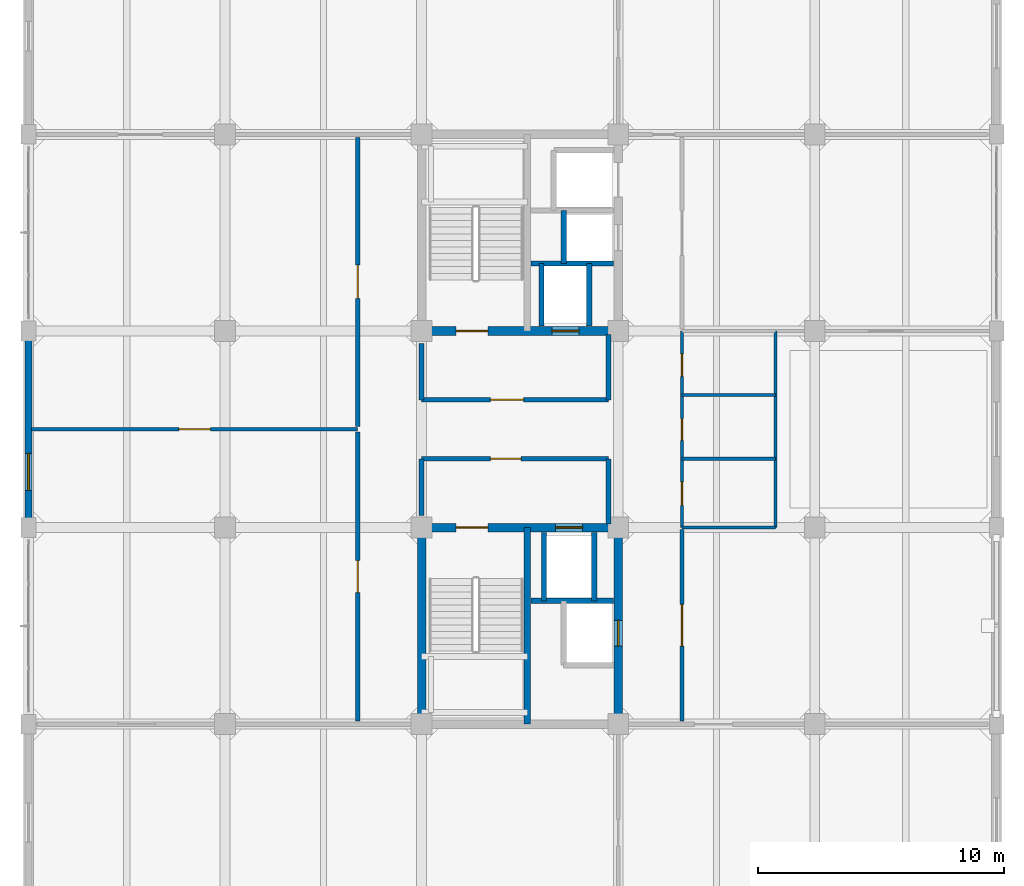
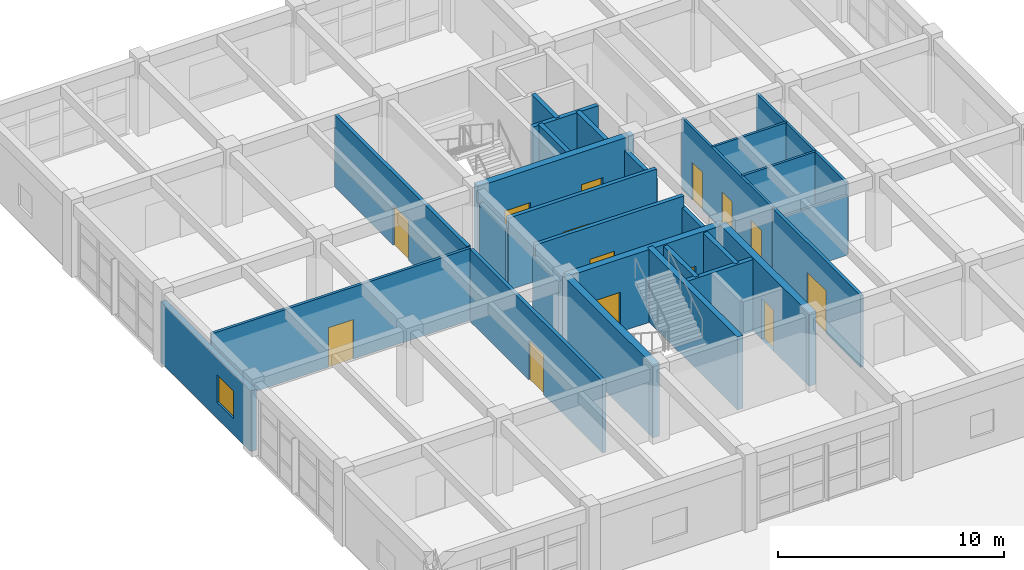
# One storey, part 22 of 30: 28 walls, 14 doors, 1 window, 15 openings.
"""IFC4 building model written with IfcOpenShell, lengths in metres."""

from ifc_helpers import new_model, si_unit, direction, frame, frame_2d, origin, place, context, subcontext, project, spatial, rectangle, extrude, material, layer, layer_set, type_object, element, fill, save


model = new_model("IFC4")

# Units and contexts
model_context = context("Model", 3, precision=1e-05, world=origin(), true_north=direction((0.0, 1.0)))
body_context = subcontext(model_context, "Body", "Model", "MODEL_VIEW")
ifc_project = project(units=[si_unit("LENGTHUNIT", "METRE"), si_unit("AREAUNIT", "SQUARE_METRE"), si_unit("VOLUMEUNIT", "CUBIC_METRE"), si_unit("PLANEANGLEUNIT", "RADIAN"), si_unit("MASSUNIT", "GRAM", prefix="KILO")], contexts=[model_context])

# Site, building, storey
site_placement = place(None, origin())
site = spatial("IfcSite", under=ifc_project, at=site_placement, CompositionType="ELEMENT")
building_placement = place(site_placement, origin())
building = spatial("IfcBuilding", under=site, at=building_placement, Name="Canggui Botanical Conservatory", CompositionType="ELEMENT")
storey_placement = place(building_placement, frame((0.0, 0.0, 27.60009765625)))
storey = spatial("IfcBuildingStorey", under=building, at=storey_placement, Name="L07", CompositionType="ELEMENT", Elevation=27.60009765625)

# Wall, opening, window
ifc_material_1 = material(Name="Precast Concrete C40", Category="concrete")
ifc_layer_1 = layer(ifc_material_1, 0.280029296875, Name="Precast Concrete C40", Category="concrete")
ifc_layer_set_1 = layer_set([ifc_layer_1], Name="Precast Concrete C40")
wall_type_1 = type_object("IfcWallType", Name="EW-280", PredefinedType="STANDARD", material=ifc_layer_set_1)
wall_1_placement = place(storey_placement, frame((138.0, 50.0, 0.0), z_axis=(0.0, 0.0, 1.0), x_axis=(0.0, 1.0, 0.0)))
wall_1 = element("IfcWall", 1, at=wall_1_placement, inside=storey, type_object=wall_type_1, Name="Tower Insulated Exterior Wall L07-W8", PredefinedType="STANDARD", context=body_context, shape_type="SweptSolid", body=[
    extrude(rectangle(XDim=8.0, YDim=0.280029296875, at=frame_2d((4.0, 0.0))), origin(), (0.0, 0.0, 1.0), 3.289794921875),
])
opening_1_placement = place(wall_1_placement, frame((1.51708984375, 0.0, 0.85009765625)))
opening_1 = element("IfcOpeningElement", 2, at=opening_1_placement, cuts=wall_1, Name="Opening W-05", PredefinedType="OPENING", context=body_context, shape_type="SweptSolid", body=[
    extrude(rectangle(XDim=1.5, YDim=1.5, at=frame_2d((0.75, 0.75))), frame((0.0, 0.14990234375, 0.0), z_axis=(0.0, -1.0, 0.0), x_axis=(1.0, 0.0, 0.0)), (0.0, 0.0, 1.0), 0.300048828125),
])
ifc_material_2 = material(Name="Low-E Insulated Glass", Category="glass")
window_type = type_object("IfcWindowType", Name="WIN-05", PartitioningType="SINGLE_PANEL", PredefinedType="WINDOW", material=ifc_material_2)
window_placement = place(opening_1_placement, origin())
window = element("IfcWindow", 3, at=window_placement, inside=storey, type_object=window_type, Name="Tower Window L07-8", OverallHeight=1.5, OverallWidth=1.5, PartitioningType="SINGLE_PANEL", PredefinedType="WINDOW", context=body_context, shape_type="SweptSolid", body=[
    extrude(rectangle(XDim=1.5, YDim=1.5, at=frame_2d((0.75, 0.75))), frame((0.0, 0.030029296875, 0.0), z_axis=(0.0, -1.0, 0.0), x_axis=(1.0, 0.0, 0.0)), (0.0, 0.0, 1.0), 0.06005859375),
])
fill(opening_1, window)

# Wall, opening, door
ifc_material_3 = material(Name="Gypsum Plasterboard Partition")
ifc_layer_2 = layer(ifc_material_3, 0.175048828125, Name="Gypsum Plasterboard Partition")
ifc_layer_set_2 = layer_set([ifc_layer_2], Name="Gypsum Plasterboard Partition")
wall_type_2 = type_object("IfcWallType", Name="IW-CORR-175", PredefinedType="STANDARD", material=ifc_layer_set_2)
wall_2_placement = place(storey_placement, frame((151.39990234375, 42.1201171875, 0.0), z_axis=(0.0, 0.0, 1.0), x_axis=(0.0, 1.0, 0.0)))
wall_2 = element("IfcWall", 4, at=wall_2_placement, inside=storey, type_object=wall_type_2, Name="L07 Plant Anatomy Microscopy Laboratory Corridor Wall", PredefinedType="STANDARD", context=body_context, shape_type="SweptSolid", body=[
    extrude(rectangle(XDim=11.759765625, YDim=0.175048828125, at=frame_2d((5.8798828125, 0.0))), origin(), (0.0, 0.0, 1.0), 3.89990234375),
])
opening_2_placement = place(wall_2_placement, frame((5.22998046875, 0.0, 0.0)))
opening_2 = element("IfcOpeningElement", 5, at=opening_2_placement, cuts=wall_2, Name="Opening FD-09", PredefinedType="OPENING", context=body_context, shape_type="SweptSolid", body=[
    extrude(rectangle(XDim=1.300048828125, YDim=2.14990234375, at=frame_2d((0.64990234375, 1.074951171875))), frame((0.0, 0.09765625, 0.0), z_axis=(0.0, -1.0, 0.0), x_axis=(1.0, 0.0, 0.0)), (0.0, 0.0, 1.0), 0.195068359375),
])
ifc_material_4 = material(Name="Powder-Coated Steel", Category="steel")
door_type_1 = type_object("IfcDoorType", Name="FD-09", OperationType="NOTDEFINED", PredefinedType="DOOR", material=ifc_material_4)
door_1_placement = place(opening_2_placement, origin())
door_1 = element("IfcDoor", 6, at=door_1_placement, inside=storey, type_object=door_type_1, Name="L07 Plant Anatomy Microscopy Laboratory Entrance Door", OperationType="SINGLE_SWING_LEFT", OverallHeight=2.14990234375, OverallWidth=1.300048828125, PredefinedType="DOOR", context=body_context, shape_type="SweptSolid", body=[
    extrude(rectangle(XDim=1.300048828125, YDim=2.14990234375, at=frame_2d((0.64990234375, 1.074951171875))), frame((0.0, 0.02490234375, 0.0), z_axis=(0.0, -1.0, 0.0), x_axis=(1.0, 0.0, 0.0)), (0.0, 0.0, 1.0), 0.050048828125),
])
fill(opening_2, door_1)

wall_3_placement = place(storey_placement, frame((151.39990234375, 54.1201171875, 0.0), z_axis=(0.0, 0.0, 1.0), x_axis=(0.0, 1.0, 0.0)))
wall_3 = element("IfcWall", 7, at=wall_3_placement, inside=storey, type_object=wall_type_2, Name="L07 Scanning Electron Microscopy Suite Corridor Wall", PredefinedType="STANDARD", context=body_context, shape_type="SweptSolid", body=[
    extrude(rectangle(XDim=11.759765625, YDim=0.175048828125, at=frame_2d((5.8798828125, 0.0))), origin(), (0.0, 0.0, 1.0), 3.89990234375),
])
opening_3_placement = place(wall_3_placement, frame((5.205078125, 0.0, 0.0)))
opening_3 = element("IfcOpeningElement", 8, at=opening_3_placement, cuts=wall_3, Name="Opening FD-10", PredefinedType="OPENING", context=body_context, shape_type="SweptSolid", body=[
    extrude(rectangle(XDim=1.35009765625, YDim=2.14990234375, at=frame_2d((0.675048828125, 1.074951171875))), frame((0.0, 0.09765625, 0.0), z_axis=(0.0, -1.0, 0.0), x_axis=(1.0, 0.0, 0.0)), (0.0, 0.0, 1.0), 0.195068359375),
])
door_type_2 = type_object("IfcDoorType", Name="FD-10", OperationType="NOTDEFINED", PredefinedType="DOOR", material=ifc_material_4)
door_2_placement = place(opening_3_placement, origin())
door_2 = element("IfcDoor", 9, at=door_2_placement, inside=storey, type_object=door_type_2, Name="L07 Scanning Electron Microscopy Suite Entrance Door", OperationType="SINGLE_SWING_LEFT", OverallHeight=2.14990234375, OverallWidth=1.35009765625, PredefinedType="DOOR", context=body_context, shape_type="SweptSolid", body=[
    extrude(rectangle(XDim=1.35009765625, YDim=2.14990234375, at=frame_2d((0.675048828125, 1.074951171875))), frame((0.0, 0.02490234375, 0.0), z_axis=(0.0, -1.0, 0.0), x_axis=(1.0, 0.0, 0.0)), (0.0, 0.0, 1.0), 0.050048828125),
])
fill(opening_3, door_2)

ifc_layer_3 = layer(ifc_material_3, 0.155029296875, Name="Gypsum Plasterboard Partition")
ifc_layer_set_3 = layer_set([ifc_layer_3], Name="Gypsum Plasterboard Partition")
wall_type_3 = type_object("IfcWallType", Name="IW-LAB-155", PredefinedType="STANDARD", material=ifc_layer_set_3)
wall_4_placement = place(storey_placement, frame((164.60009765625, 42.1201171875, 0.0), z_axis=(0.0, 0.0, 1.0), x_axis=(0.0, 1.0, 0.0)))
wall_4 = element("IfcWall", 10, at=wall_4_placement, inside=storey, type_object=wall_type_3, Name="L07 Cytogenetics Research Laboratory Lab Wall", PredefinedType="STANDARD", context=body_context, shape_type="SweptSolid", body=[
    extrude(rectangle(XDim=7.7998046875, YDim=0.155029296875, at=frame_2d((3.89990234375, 0.0))), origin(), (0.0, 0.0, 1.0), 3.89990234375),
])
opening_4_placement = place(wall_4_placement, frame((3.050048828125, 0.0, 0.0)))
opening_4 = element("IfcOpeningElement", 11, at=opening_4_placement, cuts=wall_4, Name="Opening FD-16", PredefinedType="OPENING", context=body_context, shape_type="SweptSolid", body=[
    extrude(rectangle(XDim=1.699951171875, YDim=2.300048828125, at=frame_2d((0.85009765625, 1.14990234375))), frame((0.0, 0.08740234375, 0.0), z_axis=(0.0, -1.0, 0.0), x_axis=(1.0, 0.0, 0.0)), (0.0, 0.0, 1.0), 0.175048828125),
])
door_type_3 = type_object("IfcDoorType", Name="FD-16", OperationType="NOTDEFINED", PredefinedType="DOOR", material=ifc_material_4)
door_3_placement = place(opening_4_placement, origin())
door_3 = element("IfcDoor", 12, at=door_3_placement, inside=storey, type_object=door_type_3, Name="Interior Door IW-L07-ECOR-1-1", OperationType="DOUBLE_DOOR_SINGLE_SWING", OverallHeight=2.300048828125, OverallWidth=1.699951171875, PredefinedType="DOOR", context=body_context, shape_type="SweptSolid", body=[
    extrude(rectangle(XDim=1.699951171875, YDim=2.300048828125, at=frame_2d((0.85009765625, 1.14990234375))), frame((0.0, 0.02490234375, 0.0), z_axis=(0.0, -1.0, 0.0), x_axis=(1.0, 0.0, 0.0)), (0.0, 0.0, 1.0), 0.050048828125),
])
fill(opening_4, door_3)

ifc_material_5 = material(Name="Concrete C35", Category="concrete")
ifc_layer_4 = layer(ifc_material_5, 0.195068359375, Name="Concrete C35", Category="concrete")
ifc_layer_set_4 = layer_set([ifc_layer_4], Name="Concrete C35")
wall_type_4 = type_object("IfcWallType", Name="IW-LOBBY-195", PredefinedType="STANDARD", material=ifc_layer_set_4)
wall_5_placement = place(storey_placement, frame((154.0, 52.800048828125, 0.0), z_axis=(0.0, 0.0, 1.0), x_axis=(1.0, 0.0, 0.0)))
wall_5 = element("IfcWall", 13, at=wall_5_placement, inside=storey, type_object=wall_type_4, Name="L07 South Firefighting Lift Lobby North Wall", PredefinedType="STANDARD", context=body_context, shape_type="SweptSolid", body=[
    extrude(rectangle(XDim=7.60009765625, YDim=0.195068359375, at=frame_2d((3.800048828125, 0.0))), origin(), (0.0, 0.0, 1.0), 3.89990234375),
])
opening_5_placement = place(wall_5_placement, frame((2.800048828125, 0.0, 0.0)))
opening_5 = element("IfcOpeningElement", 14, at=opening_5_placement, cuts=wall_5, Name="Opening FD-08", PredefinedType="OPENING", context=body_context, shape_type="SweptSolid", body=[
    extrude(rectangle(XDim=1.25, YDim=2.14990234375, at=frame_2d((0.625, 1.074951171875))), frame((0.0, 0.107421875, 0.0), z_axis=(0.0, -1.0, 0.0), x_axis=(1.0, 0.0, 0.0)), (0.0, 0.0, 1.0), 0.215087890625),
])
door_type_4 = type_object("IfcDoorType", Name="FD-08", OperationType="NOTDEFINED", PredefinedType="DOOR", material=ifc_material_4)
door_4_placement = place(opening_5_placement, origin())
door_4 = element("IfcDoor", 15, at=door_4_placement, inside=storey, type_object=door_type_4, Name="L07 South Firefighting Lobby Fire Door", OperationType="SINGLE_SWING_RIGHT", OverallHeight=2.14990234375, OverallWidth=1.25, PredefinedType="DOOR", context=body_context, shape_type="SweptSolid", body=[
    extrude(rectangle(XDim=1.25, YDim=2.14990234375, at=frame_2d((0.625, 1.074951171875))), frame((0.0, 0.02490234375, 0.0), z_axis=(0.0, -1.0, 0.0), x_axis=(1.0, 0.0, 0.0)), (0.0, 0.0, 1.0), 0.050048828125),
])
fill(opening_5, door_4)

# Walls
wall_6_placement = place(storey_placement, frame((161.60009765625, 50.14990234375, 0.0), z_axis=(0.0, 0.0, 1.0), x_axis=(0.0, 1.0, 0.0)))
element("IfcWall", 16, at=wall_6_placement, inside=storey, type_object=wall_type_4, Name="L07 South Firefighting Lift Lobby East Wall", PredefinedType="STANDARD", context=body_context, shape_type="SweptSolid", body=[
    extrude(rectangle(XDim=2.650146484375, YDim=0.195068359375, at=frame_2d((1.3251953125, 0.0))), origin(), (0.0, 0.0, 1.0), 3.289794921875),
])
wall_7_placement = place(storey_placement, frame((154.0, 50.5, 0.0), z_axis=(0.0, 0.0, 1.0), x_axis=(0.0, 1.0, 0.0)))
element("IfcWall", 17, at=wall_7_placement, inside=storey, type_object=wall_type_4, Name="L07 South Firefighting Lift Lobby West Wall", PredefinedType="STANDARD", context=body_context, shape_type="SweptSolid", body=[
    extrude(rectangle(XDim=2.300048828125, YDim=0.195068359375, at=frame_2d((1.14990234375, 0.0))), origin(), (0.0, 0.0, 1.0), 3.289794921875),
])

# Wall, opening, door
wall_8_placement = place(storey_placement, frame((154.0, 55.199951171875, 0.0), z_axis=(0.0, 0.0, 1.0), x_axis=(1.0, 0.0, 0.0)))
wall_8 = element("IfcWall", 18, at=wall_8_placement, inside=storey, type_object=wall_type_4, Name="L07 North Firefighting Lift Lobby South Wall", PredefinedType="STANDARD", context=body_context, shape_type="SweptSolid", body=[
    extrude(rectangle(XDim=7.60009765625, YDim=0.195068359375, at=frame_2d((3.800048828125, 0.0))), origin(), (0.0, 0.0, 1.0), 3.89990234375),
])
opening_6_placement = place(wall_8_placement, frame((2.800048828125, 0.0, 0.0)))
opening_6 = element("IfcOpeningElement", 19, at=opening_6_placement, cuts=wall_8, Name="Opening FD-10", PredefinedType="OPENING", context=body_context, shape_type="SweptSolid", body=[
    extrude(rectangle(XDim=1.35009765625, YDim=2.14990234375, at=frame_2d((0.675048828125, 1.074951171875))), frame((0.0, 0.107421875, 0.0), z_axis=(0.0, -1.0, 0.0), x_axis=(1.0, 0.0, 0.0)), (0.0, 0.0, 1.0), 0.215087890625),
])
door_5_placement = place(opening_6_placement, origin())
door_5 = element("IfcDoor", 20, at=door_5_placement, inside=storey, type_object=door_type_2, Name="L07 North Firefighting Lobby Fire Door", OperationType="SINGLE_SWING_LEFT", OverallHeight=2.14990234375, OverallWidth=1.35009765625, PredefinedType="DOOR", context=body_context, shape_type="SweptSolid", body=[
    extrude(rectangle(XDim=1.35009765625, YDim=2.14990234375, at=frame_2d((0.675048828125, 1.074951171875))), frame((0.0, 0.02490234375, 0.0), z_axis=(0.0, -1.0, 0.0), x_axis=(1.0, 0.0, 0.0)), (0.0, 0.0, 1.0), 0.050048828125),
])
fill(opening_6, door_5)

# Walls
wall_9_placement = place(storey_placement, frame((161.60009765625, 55.199951171875, 0.0), z_axis=(0.0, 0.0, 1.0), x_axis=(0.0, 1.0, 0.0)))
element("IfcWall", 21, at=wall_9_placement, inside=storey, type_object=wall_type_4, Name="L07 North Firefighting Lift Lobby East Wall", PredefinedType="STANDARD", context=body_context, shape_type="SweptSolid", body=[
    extrude(rectangle(XDim=2.650146484375, YDim=0.195068359375, at=frame_2d((1.3251953125, 0.0))), origin(), (0.0, 0.0, 1.0), 3.289794921875),
])
wall_10_placement = place(storey_placement, frame((154.0, 55.199951171875, 0.0), z_axis=(0.0, 0.0, 1.0), x_axis=(0.0, 1.0, 0.0)))
element("IfcWall", 22, at=wall_10_placement, inside=storey, type_object=wall_type_4, Name="L07 North Firefighting Lift Lobby West Wall", PredefinedType="STANDARD", context=body_context, shape_type="SweptSolid", body=[
    extrude(rectangle(XDim=2.300048828125, YDim=0.195068359375, at=frame_2d((1.14990234375, 0.0))), origin(), (0.0, 0.0, 1.0), 3.289794921875),
])

# Wall, opening, door
ifc_layer_5 = layer(ifc_material_3, 0.139892578125, Name="Gypsum Plasterboard Partition")
ifc_layer_set_5 = layer_set([ifc_layer_5], Name="Gypsum Plasterboard Partition")
wall_type_5 = type_object("IfcWallType", Name="IW-PART-140", PredefinedType="STANDARD", material=ifc_layer_set_5)
wall_11_placement = place(storey_placement, frame((138.1201171875, 54.0, 0.0), z_axis=(0.0, 0.0, 1.0), x_axis=(1.0, 0.0, 0.0)))
wall_11 = element("IfcWall", 23, at=wall_11_placement, inside=storey, type_object=wall_type_5, Name="L07 Plant Anatomy Microscopy Laboratory Cross Partition", PredefinedType="STANDARD", context=body_context, shape_type="SweptSolid", body=[
    extrude(rectangle(XDim=13.27978515625, YDim=0.139892578125, at=frame_2d((6.639892578125, 0.0))), origin(), (0.0, 0.0, 1.0), 3.89990234375),
])
opening_7_placement = place(wall_11_placement, frame((6.0, 0.0, 0.0)))
opening_7 = element("IfcOpeningElement", 24, at=opening_7_placement, cuts=wall_11, Name="Opening ID-09", PredefinedType="OPENING", context=body_context, shape_type="SweptSolid", body=[
    extrude(rectangle(XDim=1.280029296875, YDim=2.139892578125, at=frame_2d((0.64013671875, 1.06982421875))), frame((0.0, 0.080078125, 0.0), z_axis=(0.0, -1.0, 0.0), x_axis=(1.0, 0.0, 0.0)), (0.0, 0.0, 1.0), 0.159912109375),
])
ifc_material_6 = material(Name="Engineered Timber Veneer", Category="wood")
door_type_5 = type_object("IfcDoorType", Name="ID-09", OperationType="NOTDEFINED", PredefinedType="DOOR", material=ifc_material_6)
door_6_placement = place(opening_7_placement, origin())
door_6 = element("IfcDoor", 25, at=door_6_placement, inside=storey, type_object=door_type_5, Name="L07 Plant Anatomy Microscopy Laboratory Interconnecting Door", OperationType="SINGLE_SWING_RIGHT", OverallHeight=2.139892578125, OverallWidth=1.280029296875, PredefinedType="DOOR", context=body_context, shape_type="SweptSolid", body=[
    extrude(rectangle(XDim=1.280029296875, YDim=2.139892578125, at=frame_2d((0.64013671875, 1.06982421875))), frame((0.0, 0.02490234375, 0.0), z_axis=(0.0, -1.0, 0.0), x_axis=(1.0, 0.0, 0.0)), (0.0, 0.0, 1.0), 0.050048828125),
])
fill(opening_7, door_6)

# Walls
ifc_layer_6 = layer(ifc_material_5, 0.215087890625, Name="Concrete C35", Category="concrete")
ifc_layer_set_6 = layer_set([ifc_layer_6], Name="Concrete C35")
wall_type_6 = type_object("IfcWallType", Name="IW-SHAFT-215", PredefinedType="STANDARD", material=ifc_layer_set_6)
wall_12_placement = place(storey_placement, frame((158.449951171875, 47.02001953125, 0.0), z_axis=(0.0, 0.0, 1.0), x_axis=(1.0, 0.0, 0.0)))
element("IfcWall", 26, at=wall_12_placement, inside=storey, type_object=wall_type_6, Name="Core T1 Lift Shaft Divider L07", PredefinedType="STANDARD", context=body_context, shape_type="SweptSolid", body=[
    extrude(rectangle(XDim=3.35009765625, YDim=0.215087890625, at=frame_2d((1.675048828125, 0.0))), origin(), (0.0, 0.0, 1.0), 3.89990234375),
])
for number, where, z_axis, x_axis, name in (
    (27, (158.97998046875, 47.02001953125, 0.0), (0.0, 0.0, 1.0), (0.0, 1.0, 0.0), "Core T1 FL-01 West Shaft Wall L07"),
    (28, (161.02001953125, 47.02001953125, 0.0), (0.0, 0.0, 1.0), (0.0, 1.0, 0.0), "Core T1 FL-01 East Shaft Wall L07"),
):
    element("IfcWall", number, at=place(storey_placement, frame(where, z_axis=z_axis, x_axis=x_axis)), inside=storey, type_object=wall_type_6, Name=name, PredefinedType="STANDARD", context=body_context, shape_type="SweptSolid", body=[
        extrude(rectangle(XDim=2.780029296875, YDim=0.215087890625, at=frame_2d((1.39013671875, 0.0))), origin(), (0.0, 0.0, 1.0), 3.89990234375),
    ])
wall_13_placement = place(storey_placement, frame((160.820068359375, 58.199951171875, 0.0), z_axis=(0.0, 0.0, 1.0), x_axis=(0.0, 1.0, 0.0)))
element("IfcWall", 29, at=wall_13_placement, inside=storey, type_object=wall_type_6, Name="Core T2 Lift Bank Web L07", PredefinedType="STANDARD", context=body_context, shape_type="SweptSolid", body=[
    extrude(rectangle(XDim=2.550048828125, YDim=0.215087890625, at=frame_2d((1.27490234375, 0.0))), origin(), (0.0, 0.0, 1.0), 3.89990234375),
])
wall_14_placement = place(storey_placement, frame((158.449951171875, 60.75, 0.0), z_axis=(0.0, 0.0, 1.0), x_axis=(1.0, 0.0, 0.0)))
element("IfcWall", 30, at=wall_14_placement, inside=storey, type_object=wall_type_6, Name="Core T2 PL-02 South Shaft Wall L07", PredefinedType="STANDARD", context=body_context, shape_type="SweptSolid", body=[
    extrude(rectangle(XDim=3.35009765625, YDim=0.215087890625, at=frame_2d((1.675048828125, 0.0))), origin(), (0.0, 0.0, 1.0), 3.89990234375),
])
wall_15_placement = place(storey_placement, frame((159.780029296875, 60.75, 0.0), z_axis=(0.0, 0.0, 1.0), x_axis=(0.0, 1.0, 0.0)))
element("IfcWall", 31, at=wall_15_placement, inside=storey, type_object=wall_type_6, Name="Core T2 PL-02 West Shaft Wall L07", PredefinedType="STANDARD", context=body_context, shape_type="SweptSolid", body=[
    extrude(rectangle(XDim=2.14990234375, YDim=0.215087890625, at=frame_2d((1.074951171875, 0.0))), origin(), (0.0, 0.0, 1.0), 3.89990234375),
])
wall_16_placement = place(storey_placement, frame((158.8798828125, 58.199951171875, 0.0), z_axis=(0.0, 0.0, 1.0), x_axis=(0.0, 1.0, 0.0)))
element("IfcWall", 32, at=wall_16_placement, inside=storey, type_object=wall_type_6, Name="Core T2 FL-02 West Shaft Wall L07", PredefinedType="STANDARD", context=body_context, shape_type="SweptSolid", body=[
    extrude(rectangle(XDim=2.550048828125, YDim=0.215087890625, at=frame_2d((1.27490234375, 0.0))), origin(), (0.0, 0.0, 1.0), 3.89990234375),
])

# Wall, openings, doors
ifc_layer_7 = layer(ifc_material_3, 0.125, Name="Gypsum Plasterboard Partition")
ifc_layer_set_7 = layer_set([ifc_layer_7], Name="Gypsum Plasterboard Partition")
wall_type_7 = type_object("IfcWallType", Name="IW-WC-125", PredefinedType="STANDARD", material=ifc_layer_set_7)
wall_17_placement = place(storey_placement, frame((164.60009765625, 50.0, 0.0), z_axis=(0.0, 0.0, 1.0), x_axis=(0.0, 1.0, 0.0)))
wall_17 = element("IfcWall", 33, at=wall_17_placement, inside=storey, type_object=wall_type_7, Name="L07 Restroom Block Corridor Wall", PredefinedType="STANDARD", context=body_context, shape_type="SweptSolid", body=[
    extrude(rectangle(XDim=8.0, YDim=0.125, at=frame_2d((4.0, 0.0))), origin(), (0.0, 0.0, 1.0), 3.89990234375),
])
opening_8_placement = place(wall_17_placement, frame((0.89990234375, 0.0, 0.0)))
opening_8 = element("IfcOpeningElement", 34, at=opening_8_placement, cuts=wall_17, Name="Opening ID-03", PredefinedType="OPENING", context=body_context, shape_type="SweptSolid", body=[
    extrude(rectangle(XDim=0.9599609375, YDim=2.080078125, at=frame_2d((0.47998046875, 1.0400390625))), frame((0.0, 0.072509765625, 0.0), z_axis=(0.0, -1.0, 0.0), x_axis=(1.0, 0.0, 0.0)), (0.0, 0.0, 1.0), 0.14501953125),
])
opening_9_placement = place(wall_17_placement, frame((3.550048828125, 0.0, 0.0)))
opening_9 = element("IfcOpeningElement", 35, at=opening_9_placement, cuts=wall_17, Name="Opening ID-01", PredefinedType="OPENING", context=body_context, shape_type="SweptSolid", body=[
    extrude(rectangle(XDim=0.8798828125, YDim=2.050048828125, at=frame_2d((0.43994140625, 1.02490234375))), frame((0.0, 0.072509765625, 0.0), z_axis=(0.0, -1.0, 0.0), x_axis=(1.0, 0.0, 0.0)), (0.0, 0.0, 1.0), 0.14501953125),
])
opening_10_placement = place(wall_17_placement, frame((6.14990234375, 0.0, 0.0)))
opening_10 = element("IfcOpeningElement", 36, at=opening_10_placement, cuts=wall_17, Name="Opening ID-02", PredefinedType="OPENING", context=body_context, shape_type="SweptSolid", body=[
    extrude(rectangle(XDim=0.919921875, YDim=2.050048828125, at=frame_2d((0.4599609375, 1.02490234375))), frame((0.0, 0.072509765625, 0.0), z_axis=(0.0, -1.0, 0.0), x_axis=(1.0, 0.0, 0.0)), (0.0, 0.0, 1.0), 0.14501953125),
])
door_type_6 = type_object("IfcDoorType", Name="ID-01", OperationType="NOTDEFINED", PredefinedType="DOOR", material=ifc_material_6)
door_7_placement = place(opening_9_placement, origin())
door_7 = element("IfcDoor", 37, at=door_7_placement, inside=storey, type_object=door_type_6, Name="L07 Male WC Door", OperationType="SINGLE_SWING_LEFT", OverallHeight=2.050048828125, OverallWidth=0.8798828125, PredefinedType="DOOR", context=body_context, shape_type="SweptSolid", body=[
    extrude(rectangle(XDim=0.8798828125, YDim=2.050048828125, at=frame_2d((0.43994140625, 1.02490234375))), frame((0.0, 0.02490234375, 0.0), z_axis=(0.0, -1.0, 0.0), x_axis=(1.0, 0.0, 0.0)), (0.0, 0.0, 1.0), 0.050048828125),
])
fill(opening_9, door_7)
door_type_7 = type_object("IfcDoorType", Name="ID-02", OperationType="NOTDEFINED", PredefinedType="DOOR", material=ifc_material_6)
door_8_placement = place(opening_10_placement, origin())
door_8 = element("IfcDoor", 38, at=door_8_placement, inside=storey, type_object=door_type_7, Name="L07 Female WC Door", OperationType="SINGLE_SWING_RIGHT", OverallHeight=2.050048828125, OverallWidth=0.919921875, PredefinedType="DOOR", context=body_context, shape_type="SweptSolid", body=[
    extrude(rectangle(XDim=0.919921875, YDim=2.050048828125, at=frame_2d((0.4599609375, 1.02490234375))), frame((0.0, 0.02490234375, 0.0), z_axis=(0.0, -1.0, 0.0), x_axis=(1.0, 0.0, 0.0)), (0.0, 0.0, 1.0), 0.050048828125),
])
fill(opening_10, door_8)
door_type_8 = type_object("IfcDoorType", Name="ID-03", OperationType="NOTDEFINED", PredefinedType="DOOR", material=ifc_material_6)
door_9_placement = place(opening_8_placement, origin())
door_9 = element("IfcDoor", 39, at=door_9_placement, inside=storey, type_object=door_type_8, Name="L07 Accessible WC Door", OperationType="SINGLE_SWING_RIGHT", OverallHeight=2.080078125, OverallWidth=0.9599609375, PredefinedType="DOOR", context=body_context, shape_type="SweptSolid", body=[
    extrude(rectangle(XDim=0.9599609375, YDim=2.080078125, at=frame_2d((0.47998046875, 1.0400390625))), frame((0.0, 0.02490234375, 0.0), z_axis=(0.0, -1.0, 0.0), x_axis=(1.0, 0.0, 0.0)), (0.0, 0.0, 1.0), 0.050048828125),
])
fill(opening_8, door_9)

# Walls
wall_18_placement = place(storey_placement, frame((168.39990234375, 50.0, 0.0), z_axis=(0.0, 0.0, 1.0), x_axis=(0.0, 1.0, 0.0)))
element("IfcWall", 40, at=wall_18_placement, inside=storey, type_object=wall_type_7, Name="L07 Restroom Block Back Wall", PredefinedType="STANDARD", context=body_context, shape_type="SweptSolid", body=[
    extrude(rectangle(XDim=8.0, YDim=0.125, at=frame_2d((4.0, 0.0))), origin(), (0.0, 0.0, 1.0), 3.89990234375),
])
wall_19_placement = place(storey_placement, frame((164.60009765625, 50.0, 0.0), z_axis=(0.0, 0.0, 1.0), x_axis=(1.0, 0.0, 0.0)))
element("IfcWall", 41, at=wall_19_placement, inside=storey, type_object=wall_type_7, Name="L07 Restroom Divider Y50.0", PredefinedType="STANDARD", context=body_context, shape_type="SweptSolid", body=[
    extrude(rectangle(XDim=3.7998046875, YDim=0.125, at=frame_2d((1.89990234375, 0.0))), origin(), (0.0, 0.0, 1.0), 3.239990234375),
])
for number, where, z_axis, x_axis, name in (
    (42, (164.60009765625, 52.800048828125, 0.0), (0.0, 0.0, 1.0), (1.0, 0.0, 0.0), "L07 Restroom Divider Y52.8"),
    (43, (164.60009765625, 55.39990234375, 0.0), (0.0, 0.0, 1.0), (1.0, 0.0, 0.0), "L07 Restroom Divider Y55.4"),
):
    element("IfcWall", number, at=place(storey_placement, frame(where, z_axis=z_axis, x_axis=x_axis)), inside=storey, type_object=wall_type_7, Name=name, PredefinedType="STANDARD", context=body_context, shape_type="SweptSolid", body=[
        extrude(rectangle(XDim=3.7998046875, YDim=0.125, at=frame_2d((1.89990234375, 0.0))), origin(), (0.0, 0.0, 1.0), 3.89990234375),
    ])
ifc_layer_8 = layer(ifc_material_5, 0.280029296875, Name="Concrete C35", Category="concrete")
ifc_layer_set_8 = layer_set([ifc_layer_8], Name="Concrete C35")
wall_type_8 = type_object("IfcWallType", Name="WALL-SH-280-C35", PredefinedType="SHEAR", material=ifc_layer_set_8)
wall_20_placement = place(storey_placement, frame((158.300048828125, 42.0, 0.0), z_axis=(0.0, 0.0, 1.0), x_axis=(0.0, 1.0, 0.0)))
element("IfcWall", 44, at=wall_20_placement, inside=storey, type_object=wall_type_8, Name="Core T1 Internal Shear Web L07", PredefinedType="SHEAR", context=body_context, shape_type="SweptSolid", body=[
    extrude(rectangle(XDim=8.0, YDim=0.280029296875, at=frame_2d((4.0, 0.0))), origin(), (0.0, 0.0, 1.0), 3.949951171875),
])

# Wall, opening, door
ifc_material_7 = material(Name="Concrete C40", Category="concrete")
ifc_layer_9 = layer(ifc_material_7, 0.35009765625, Name="Concrete C40", Category="concrete")
ifc_layer_set_9 = layer_set([ifc_layer_9], Name="Concrete C40")
wall_type_9 = type_object("IfcWallType", Name="WALL-SH-350-C40", PredefinedType="SHEAR", material=ifc_layer_set_9)
wall_21_placement = place(storey_placement, frame((162.0, 42.0, 0.0), z_axis=(0.0, 0.0, 1.0), x_axis=(0.0, 1.0, 0.0)))
wall_21 = element("IfcWall", 45, at=wall_21_placement, inside=storey, type_object=wall_type_9, Name="Core T1 Shear Wall L07-E", PredefinedType="SHEAR", context=body_context, shape_type="SweptSolid", body=[
    extrude(rectangle(XDim=8.0, YDim=0.35009765625, at=frame_2d((4.0, 0.0))), origin(), (0.0, 0.0, 1.0), 3.949951171875),
])
opening_11_placement = place(wall_21_placement, frame((3.175048828125, 0.0, 0.0)))
opening_11 = element("IfcOpeningElement", 46, at=opening_11_placement, cuts=wall_21, Name="Opening LD-02", PredefinedType="OPENING", context=body_context, shape_type="SweptSolid", body=[
    extrude(rectangle(XDim=1.050048828125, YDim=2.199951171875, at=frame_2d((0.52490234375, 1.10009765625))), frame((0.0, 0.18505859375, 0.0), z_axis=(0.0, -1.0, 0.0), x_axis=(1.0, 0.0, 0.0)), (0.0, 0.0, 1.0), 0.3701171875),
])
ifc_material_8 = material(Name="Stainless Steel 304", Category="steel")
door_type_9 = type_object("IfcDoorType", Name="LDR-02", OperationType="NOTDEFINED", PredefinedType="DOOR", material=ifc_material_8)
door_10_placement = place(opening_11_placement, origin())
door_10 = element("IfcDoor", 47, at=door_10_placement, inside=storey, type_object=door_type_9, Name="Passenger Lift PL-01 Landing Door L07", OperationType="SLIDING_TO_LEFT", OverallHeight=2.199951171875, OverallWidth=1.050048828125, PredefinedType="DOOR", context=body_context, shape_type="SweptSolid", body=[
    extrude(rectangle(XDim=1.050048828125, YDim=2.199951171875, at=frame_2d((0.52490234375, 1.10009765625))), frame((0.0, 0.02490234375, 0.0), z_axis=(0.0, -1.0, 0.0), x_axis=(1.0, 0.0, 0.0)), (0.0, 0.0, 1.0), 0.050048828125),
])
fill(opening_11, door_10)

# Wall, openings, doors
wall_22_placement = place(storey_placement, frame((162.0, 50.0, 0.0), z_axis=(0.0, 0.0, 1.0), x_axis=(-1.0, 0.0, 0.0)))
wall_22 = element("IfcWall", 48, at=wall_22_placement, inside=storey, type_object=wall_type_9, Name="Core T1 Shear Wall L07-N", PredefinedType="SHEAR", context=body_context, shape_type="SweptSolid", body=[
    extrude(rectangle(XDim=8.0, YDim=0.35009765625, at=frame_2d((4.0, 0.0))), origin(), (0.0, 0.0, 1.0), 3.949951171875),
])
opening_12_placement = place(wall_22_placement, frame((5.300048828125, 0.0, 0.0)))
opening_12 = element("IfcOpeningElement", 49, at=opening_12_placement, cuts=wall_22, Name="Opening FD-09", PredefinedType="OPENING", context=body_context, shape_type="SweptSolid", body=[
    extrude(rectangle(XDim=1.300048828125, YDim=2.14990234375, at=frame_2d((0.64990234375, 1.074951171875))), frame((0.0, 0.18505859375, 0.0), z_axis=(0.0, -1.0, 0.0), x_axis=(1.0, 0.0, 0.0)), (0.0, 0.0, 1.0), 0.3701171875),
])
opening_13_placement = place(wall_22_placement, frame((1.449951171875, 0.0, 0.0)))
opening_13 = element("IfcOpeningElement", 50, at=opening_13_placement, cuts=wall_22, Name="Opening LD-01", PredefinedType="OPENING", context=body_context, shape_type="SweptSolid", body=[
    extrude(rectangle(XDim=1.10009765625, YDim=2.199951171875, at=frame_2d((0.550048828125, 1.10009765625))), frame((0.0, 0.18505859375, 0.0), z_axis=(0.0, -1.0, 0.0), x_axis=(1.0, 0.0, 0.0)), (0.0, 0.0, 1.0), 0.3701171875),
])
door_11_placement = place(opening_12_placement, origin())
door_11 = element("IfcDoor", 51, at=door_11_placement, inside=storey, type_object=door_type_1, Name="Tower South Smoke-Proof Stair Door L07", OperationType="SINGLE_SWING_LEFT", OverallHeight=2.14990234375, OverallWidth=1.300048828125, PredefinedType="DOOR", context=body_context, shape_type="SweptSolid", body=[
    extrude(rectangle(XDim=1.300048828125, YDim=2.14990234375, at=frame_2d((0.64990234375, 1.074951171875))), frame((0.0, 0.02490234375, 0.0), z_axis=(0.0, -1.0, 0.0), x_axis=(1.0, 0.0, 0.0)), (0.0, 0.0, 1.0), 0.050048828125),
])
fill(opening_12, door_11)
door_type_10 = type_object("IfcDoorType", Name="LDR-01", OperationType="NOTDEFINED", PredefinedType="DOOR", material=ifc_material_8)
door_12_placement = place(opening_13_placement, origin())
door_12 = element("IfcDoor", 52, at=door_12_placement, inside=storey, type_object=door_type_10, Name="Firefighting Lift FL-01 Landing Door L07", OperationType="SLIDING_TO_LEFT", OverallHeight=2.199951171875, OverallWidth=1.10009765625, PredefinedType="DOOR", context=body_context, shape_type="SweptSolid", body=[
    extrude(rectangle(XDim=1.10009765625, YDim=2.199951171875, at=frame_2d((0.550048828125, 1.10009765625))), frame((0.0, 0.02490234375, 0.0), z_axis=(0.0, -1.0, 0.0), x_axis=(1.0, 0.0, 0.0)), (0.0, 0.0, 1.0), 0.050048828125),
])
fill(opening_13, door_12)

# Wall
wall_23_placement = place(storey_placement, frame((154.0, 50.0, 0.0), z_axis=(0.0, 0.0, 1.0), x_axis=(0.0, -1.0, 0.0)))
element("IfcWall", 53, at=wall_23_placement, inside=storey, type_object=wall_type_9, Name="Core T1 Shear Wall L07-W", PredefinedType="SHEAR", context=body_context, shape_type="SweptSolid", body=[
    extrude(rectangle(XDim=8.0, YDim=0.35009765625, at=frame_2d((4.0, 0.0))), origin(), (0.0, 0.0, 1.0), 3.949951171875),
])

# Wall, openings, doors
wall_24_placement = place(storey_placement, frame((154.0, 58.0, 0.0), z_axis=(0.0, 0.0, 1.0), x_axis=(1.0, 0.0, 0.0)))
wall_24 = element("IfcWall", 54, at=wall_24_placement, inside=storey, type_object=wall_type_9, Name="Core T2 Shear Wall L07-S", PredefinedType="SHEAR", context=body_context, shape_type="SweptSolid", body=[
    extrude(rectangle(XDim=8.0, YDim=0.35009765625, at=frame_2d((4.0, 0.0))), origin(), (0.0, 0.0, 1.0), 3.949951171875),
])
opening_14_placement = place(wall_24_placement, frame((1.39990234375, 0.0, 0.0)))
opening_14 = element("IfcOpeningElement", 55, at=opening_14_placement, cuts=wall_24, Name="Opening FD-09", PredefinedType="OPENING", context=body_context, shape_type="SweptSolid", body=[
    extrude(rectangle(XDim=1.300048828125, YDim=2.14990234375, at=frame_2d((0.64990234375, 1.074951171875))), frame((0.0, 0.18505859375, 0.0), z_axis=(0.0, -1.0, 0.0), x_axis=(1.0, 0.0, 0.0)), (0.0, 0.0, 1.0), 0.3701171875),
])
opening_15_placement = place(wall_24_placement, frame((5.300048828125, 0.0, 0.0)))
opening_15 = element("IfcOpeningElement", 56, at=opening_15_placement, cuts=wall_24, Name="Opening LD-01", PredefinedType="OPENING", context=body_context, shape_type="SweptSolid", body=[
    extrude(rectangle(XDim=1.10009765625, YDim=2.199951171875, at=frame_2d((0.550048828125, 1.10009765625))), frame((0.0, 0.18505859375, 0.0), z_axis=(0.0, -1.0, 0.0), x_axis=(1.0, 0.0, 0.0)), (0.0, 0.0, 1.0), 0.3701171875),
])
door_13_placement = place(opening_14_placement, origin())
door_13 = element("IfcDoor", 57, at=door_13_placement, inside=storey, type_object=door_type_1, Name="Tower North Smoke-Proof Stair Door L07", OperationType="SINGLE_SWING_RIGHT", OverallHeight=2.14990234375, OverallWidth=1.300048828125, PredefinedType="DOOR", context=body_context, shape_type="SweptSolid", body=[
    extrude(rectangle(XDim=1.300048828125, YDim=2.14990234375, at=frame_2d((0.64990234375, 1.074951171875))), frame((0.0, 0.02490234375, 0.0), z_axis=(0.0, -1.0, 0.0), x_axis=(1.0, 0.0, 0.0)), (0.0, 0.0, 1.0), 0.050048828125),
])
fill(opening_14, door_13)
door_14_placement = place(opening_15_placement, origin())
door_14 = element("IfcDoor", 58, at=door_14_placement, inside=storey, type_object=door_type_10, Name="Firefighting Lift FL-02 Landing Door L07", OperationType="SLIDING_TO_RIGHT", OverallHeight=2.199951171875, OverallWidth=1.10009765625, PredefinedType="DOOR", context=body_context, shape_type="SweptSolid", body=[
    extrude(rectangle(XDim=1.10009765625, YDim=2.199951171875, at=frame_2d((0.550048828125, 1.10009765625))), frame((0.0, 0.02490234375, 0.0), z_axis=(0.0, -1.0, 0.0), x_axis=(1.0, 0.0, 0.0)), (0.0, 0.0, 1.0), 0.050048828125),
])
fill(opening_15, door_14)

save(model, "model.ifc")
